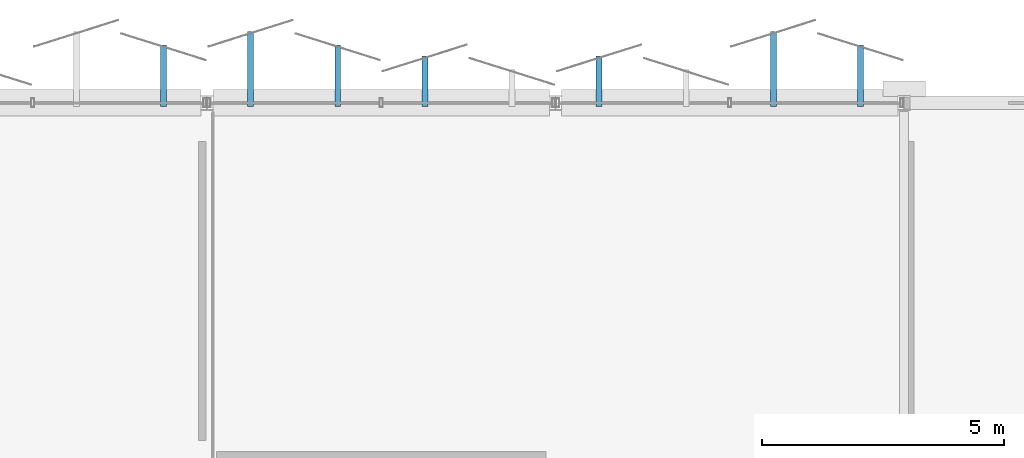
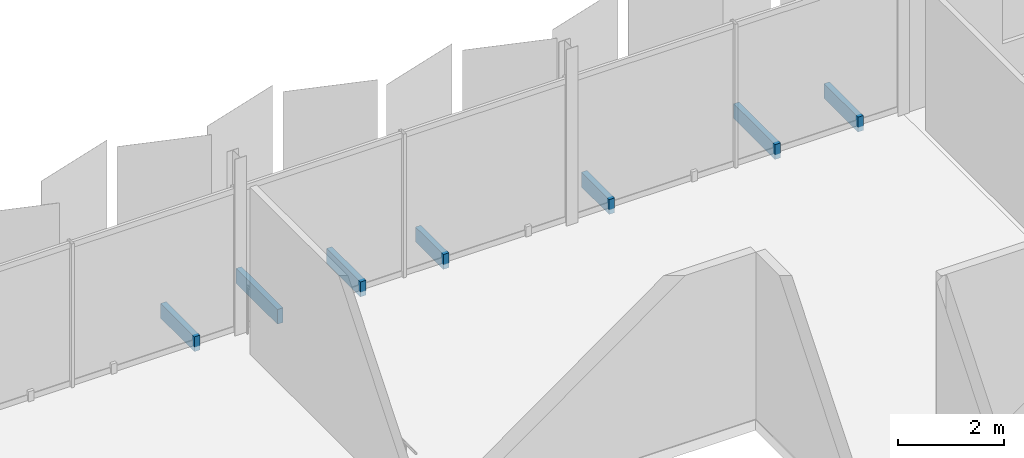
# One storey, part 72 of 77: 7 discrete accessories.
"""IFC4 building model written with IfcOpenShell, lengths in metres."""

from ifc_helpers import new_model, si_unit, direction, frame, origin, origin_2d, place, context, subcontext, project, spatial, rectangle, extrude, material, type_object, element, save


model = new_model("IFC4")

# Units and contexts
model_context = context("Model", 3, precision=1e-05, world=origin(), true_north=direction((0.0, 1.0)))
body_context = subcontext(model_context, "Body", "Model", "MODEL_VIEW")
ifc_project = project(units=[si_unit("LENGTHUNIT", "METRE"), si_unit("AREAUNIT", "SQUARE_METRE"), si_unit("VOLUMEUNIT", "CUBIC_METRE"), si_unit("PLANEANGLEUNIT", "RADIAN"), si_unit("MASSUNIT", "GRAM", prefix="KILO")], contexts=[model_context])

# Site, building, storey
site_placement = place(None, origin())
site = spatial("IfcSite", under=ifc_project, at=site_placement, CompositionType="ELEMENT")
building_placement = place(site_placement, origin())
building = spatial("IfcBuilding", under=site, at=building_placement, Name="Kangsadwip Square Police Headquarters", CompositionType="ELEMENT")
storey_placement = place(building_placement, frame((0.0, 0.0, 17.550048828125)))
storey = spatial("IfcBuildingStorey", under=building, at=storey_placement, Name="L04", CompositionType="ELEMENT", Elevation=17.550048828125)

# Discrete accessories
ifc_material = material(Name="Structural steel IS 2062 E350 (Grade 350, 350 MPa)", Category="steel")
discrete_accessory_type = type_object("IfcDiscreteAccessoryType", Name="VeilOutriggerBracket", PredefinedType="BRACKET", material=ifc_material)
discrete_accessory_1_placement = place(storey_placement, frame((128.699951171875, 115.75732421875, -0.10986328125), z_axis=(0.0, 0.0, 1.0), x_axis=(1.0, 0.0, 0.0)))
element("IfcDiscreteAccessory", 1, at=discrete_accessory_1_placement, inside=storey, type_object=discrete_accessory_type, Name="Veil Outrigger Bracket VBK-L04-0160", PredefinedType="BRACKET", context=body_context, shape_type="SweptSolid", body=[
    extrude(rectangle(XDim=0.1201171875, YDim=1.274658203125, at=origin_2d()), origin(), (0.0, 0.0, 1.0), 0.340087890625),
])
discrete_accessory_2_placement = place(storey_placement, frame((130.5, 115.897216796875, -0.10986328125), z_axis=(0.0, 0.0, 1.0), x_axis=(1.0, 0.0, 0.0)))
element("IfcDiscreteAccessory", 2, at=discrete_accessory_2_placement, inside=storey, type_object=discrete_accessory_type, Name="Veil Outrigger Bracket VBK-L04-0161", PredefinedType="BRACKET", context=body_context, shape_type="SweptSolid", body=[
    extrude(rectangle(XDim=0.1201171875, YDim=1.5546875, at=origin_2d()), origin(), (0.0, 0.0, 1.0), 0.340087890625),
])
discrete_accessory_3_placement = place(storey_placement, frame((132.300048828125, 115.75732421875, -0.10986328125), z_axis=(0.0, 0.0, 1.0), x_axis=(1.0, 0.0, 0.0)))
element("IfcDiscreteAccessory", 3, at=discrete_accessory_3_placement, inside=storey, type_object=discrete_accessory_type, Name="Veil Outrigger Bracket VBK-L04-0162", PredefinedType="BRACKET", context=body_context, shape_type="SweptSolid", body=[
    extrude(rectangle(XDim=0.1201171875, YDim=1.274658203125, at=origin_2d()), origin(), (0.0, 0.0, 1.0), 0.340087890625),
])
for number, where, z_axis, x_axis, name in (
    (4, (134.10009765625, 115.642578125, -0.10986328125), (0.0, 0.0, 1.0), (1.0, 0.0, 0.0), "Veil Outrigger Bracket VBK-L04-0163"),
    (5, (137.699951171875, 115.642578125, -0.10986328125), (0.0, 0.0, 1.0), (1.0, 0.0, 0.0), "Veil Outrigger Bracket VBK-L04-0165"),
):
    element("IfcDiscreteAccessory", number, at=place(storey_placement, frame(where, z_axis=z_axis, x_axis=x_axis)), inside=storey, type_object=discrete_accessory_type, Name=name, PredefinedType="BRACKET", context=body_context, shape_type="SweptSolid", body=[
        extrude(rectangle(XDim=0.1201171875, YDim=1.04541015625, at=origin_2d()), origin(), (0.0, 0.0, 1.0), 0.340087890625),
    ])
discrete_accessory_4_placement = place(storey_placement, frame((141.300048828125, 115.897216796875, -0.10986328125), z_axis=(0.0, 0.0, 1.0), x_axis=(1.0, 0.0, 0.0)))
element("IfcDiscreteAccessory", 6, at=discrete_accessory_4_placement, inside=storey, type_object=discrete_accessory_type, Name="Veil Outrigger Bracket VBK-L04-0167", PredefinedType="BRACKET", context=body_context, shape_type="SweptSolid", body=[
    extrude(rectangle(XDim=0.1201171875, YDim=1.5546875, at=origin_2d()), origin(), (0.0, 0.0, 1.0), 0.340087890625),
])
discrete_accessory_5_placement = place(storey_placement, frame((143.10009765625, 115.75732421875, -0.10986328125), z_axis=(0.0, 0.0, 1.0), x_axis=(1.0, 0.0, 0.0)))
element("IfcDiscreteAccessory", 7, at=discrete_accessory_5_placement, inside=storey, type_object=discrete_accessory_type, Name="Veil Outrigger Bracket VBK-L04-0168", PredefinedType="BRACKET", context=body_context, shape_type="SweptSolid", body=[
    extrude(rectangle(XDim=0.1201171875, YDim=1.274658203125, at=origin_2d()), origin(), (0.0, 0.0, 1.0), 0.340087890625),
])

save(model, "model.ifc")
